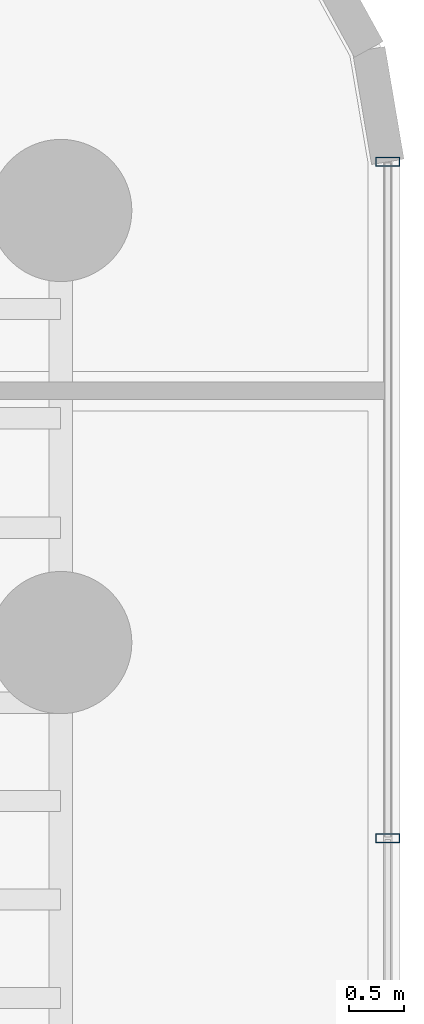
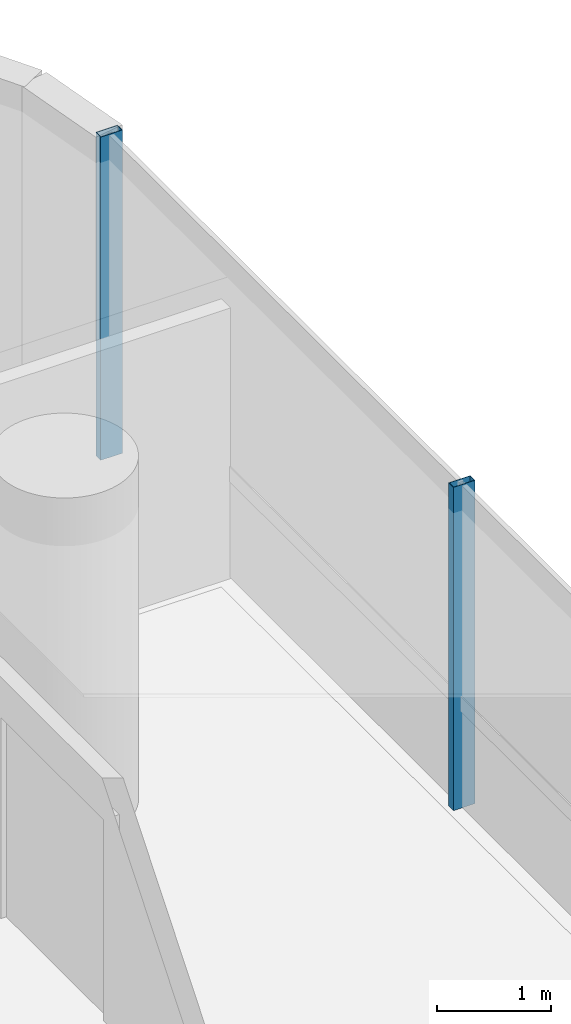
# One storey, part 26 of 39: 2 members, 1 element without a shape of its own.
"""IFC4 building model written with IfcOpenShell, lengths in metres."""

from ifc_helpers import new_model, si_unit, direction, frame, origin, origin_2d, place, context, subcontext, project, spatial, hollow_rectangle, extrude, source, transform, mapped, material, material_profile, profile_set, type_object, element, aggregate, save


model = new_model("IFC4")

# Units and contexts
model_context = context("Model", 3, precision=1e-05, world=origin(), true_north=direction((0.0, 1.0)))
body_context = subcontext(model_context, "Body", "Model", "MODEL_VIEW")
ifc_project = project(units=[si_unit("LENGTHUNIT", "METRE"), si_unit("AREAUNIT", "SQUARE_METRE"), si_unit("VOLUMEUNIT", "CUBIC_METRE"), si_unit("PLANEANGLEUNIT", "RADIAN"), si_unit("MASSUNIT", "GRAM", prefix="KILO")], contexts=[model_context])

# Site, building, storey
site_placement = place(None, origin())
site = spatial("IfcSite", under=ifc_project, at=site_placement, CompositionType="ELEMENT")
building_placement = place(site_placement, origin())
building = spatial("IfcBuilding", under=site, at=building_placement, Name="Valdorenza Pilgrim Sanctuary Tower", CompositionType="ELEMENT")
storey_placement = place(building_placement, frame((0.0, 0.0, 77.800048828125)))
storey = spatial("IfcBuildingStorey", under=building, at=storey_placement, Name="L19", CompositionType="ELEMENT", Elevation=77.800048828125)

# Curtain wall, members
ifc_material_1 = material(Name="Curtain-wall IGU glazing", Category="glass")
curtain_wall_type = type_object("IfcCurtainWallType", Name="CW-SYS-03", PredefinedType="NOTDEFINED", material=ifc_material_1)
curtain_wall_placement = place(storey_placement, origin())
curtain_wall = element("IfcCurtainWall", 1, at=curtain_wall_placement, inside=storey, type_object=curtain_wall_type, Name="L19 Curtain Wall CW-L19-1-21", PredefinedType="NOTDEFINED")
ifc_material_2 = material(Name="Anodised aluminium AW-6060", Category="aluminium")
ifc_material_profile = material_profile(ifc_material_2, hollow_rectangle(XDim=0.0849609375, YDim=0.219970703125, WallThickness=0.0048828125, at=origin_2d()), Name="ALU-M 220x85x5")
ifc_profile_set = profile_set([ifc_material_profile], Name="Anodised aluminium AW-6060")
member_type = type_object("IfcMemberType", Name="CW-MUL-03", PredefinedType="MULLION", material=ifc_profile_set)
shared_shape = source(origin(), body_context, "Body", "SweptSolid", [
    extrude(hollow_rectangle(XDim=0.0849609375, YDim=0.219970703125, WallThickness=0.0048828125, at=origin_2d()), origin(), (0.0, 0.0, 1.0), 3.4599609375),
])
member_1_placement = place(storey_placement, frame((31.389892578125, 13.945068359375, 0.0), z_axis=(0.0, 0.0, 1.0), x_axis=(0.0, -1.0, 0.0)))
member_1 = element("IfcMember", 2, at=member_1_placement, type_object=member_type, Name="CW-L19-1-21 Mullion 1", PredefinedType="MULLION", context=body_context, shape_type="MappedRepresentation", body=[
    mapped(shared_shape, transform((0.0, 0.0, 0.0), x_axis=(1.0, 0.0, 0.0), y_axis=(0.0, 1.0, 0.0), z_axis=(0.0, 0.0, 1.0), scale=1.0)),
])
member_2_placement = place(storey_placement, frame((31.389892578125, 7.761474609375, 0.0), z_axis=(0.0, 0.0, 1.0), x_axis=(0.0, -1.0, 0.0)))
member_2 = element("IfcMember", 3, at=member_2_placement, type_object=member_type, Name="CW-L19-1-21 Mullion 2", PredefinedType="MULLION", context=body_context, shape_type="MappedRepresentation", body=[
    mapped(shared_shape, transform((0.0, 0.0, 0.0), x_axis=(1.0, 0.0, 0.0), y_axis=(0.0, 1.0, 0.0), z_axis=(0.0, 0.0, 1.0), scale=1.0)),
])
aggregate(curtain_wall, [member_1, member_2])

save(model, "model.ifc")
